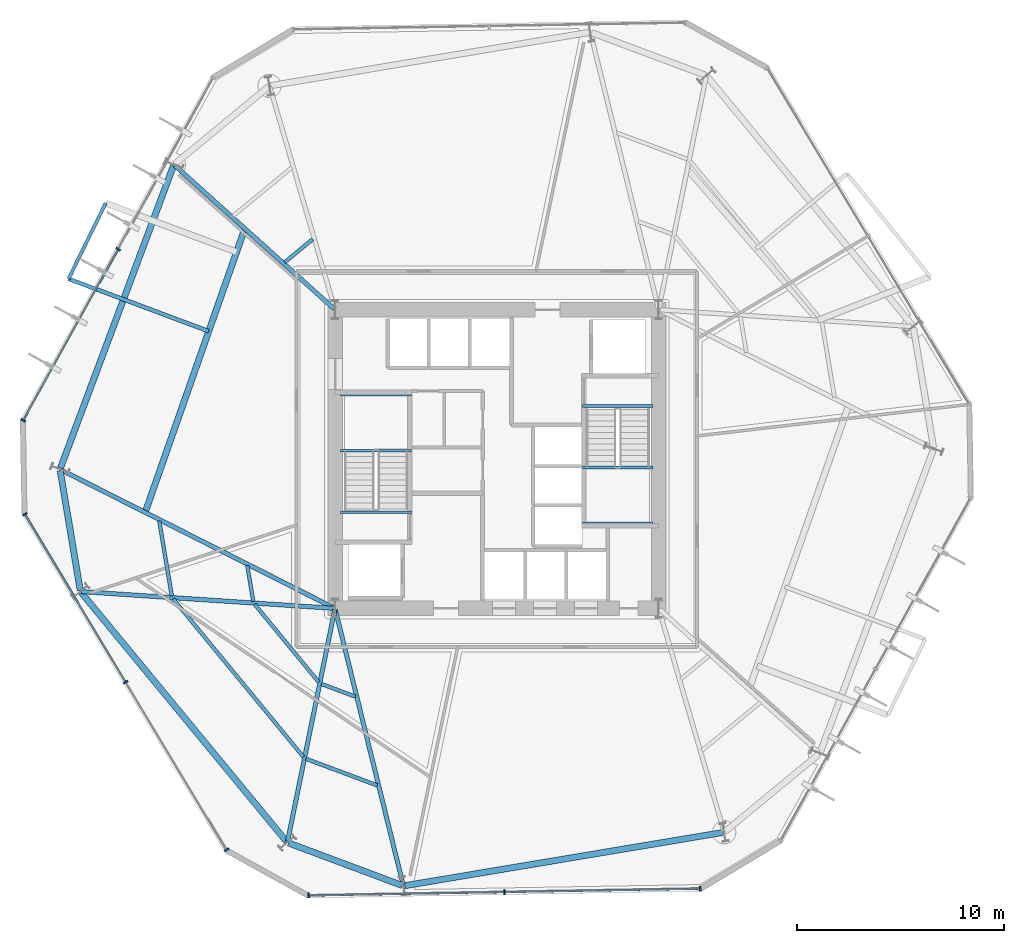
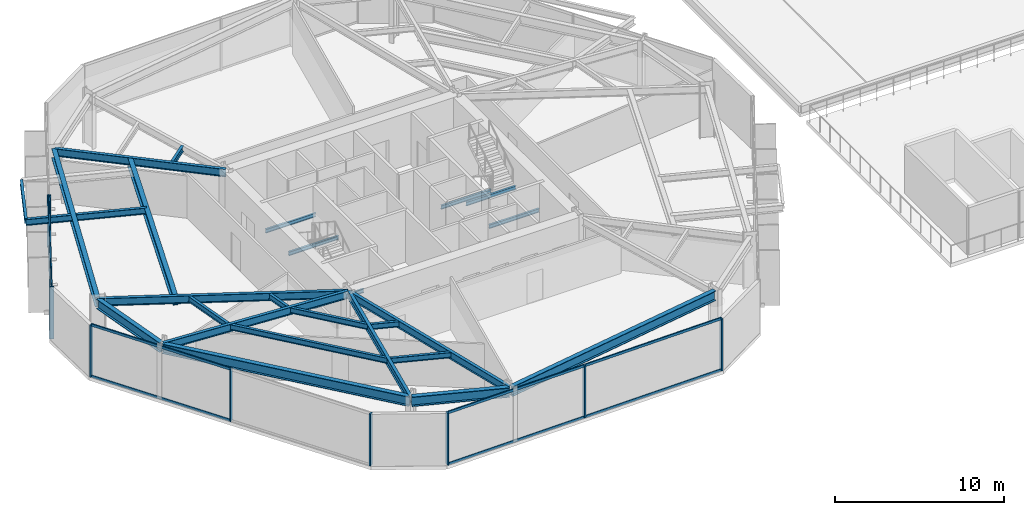
# One storey, part 2 of 11: 26 beams, 16 members, 3 elements without a shape of their own.
"""IFC4 building model written with IfcOpenShell, lengths in metres."""

from ifc_helpers import new_model, si_unit, direction, frame, origin, origin_2d, place, context, subcontext, project, spatial, rectangle, i_section, extrude, material, layer, layer_set, material_profile, profile_set, type_object, element, aggregate, save


model = new_model("IFC4")

# Units and contexts
model_context = context("Model", 3, precision=1e-05, world=origin(), true_north=direction((0.0, 1.0)))
body_context = subcontext(model_context, "Body", "Model", "MODEL_VIEW")
ifc_project = project(units=[si_unit("LENGTHUNIT", "METRE"), si_unit("AREAUNIT", "SQUARE_METRE"), si_unit("VOLUMEUNIT", "CUBIC_METRE"), si_unit("PLANEANGLEUNIT", "RADIAN"), si_unit("MASSUNIT", "GRAM", prefix="KILO")], contexts=[model_context])

# Site, building, storey
site_placement = place(None, origin())
site = spatial("IfcSite", under=ifc_project, at=site_placement, CompositionType="ELEMENT")
building_placement = place(site_placement, origin())
building = spatial("IfcBuilding", under=site, at=building_placement, Name="Kranzbogen Civic Tower", CompositionType="ELEMENT")
storey_placement = place(building_placement, frame((0.0, 0.0, 24.0)))
storey = spatial("IfcBuildingStorey", under=building, at=storey_placement, Name="L05", CompositionType="ELEMENT", Elevation=24.0)

# Beam
ifc_material_1 = material(Name="Steel S355", Category="steel")
ifc_material_profile_1 = material_profile(ifc_material_1, i_section(OverallWidth=0.18994140625, OverallDepth=0.449951171875, WebThickness=0.009521484375, FlangeThickness=0.0146484375, at=origin_2d()), Name="IPE 450")
ifc_profile_set_1 = profile_set([ifc_material_profile_1], Name="Steel S355")
beam_type_1 = type_object("IfcBeamType", Name="Braced Terrace Edge Beam IPE 450", PredefinedType="BEAM", material=ifc_profile_set_1)
beam_1_placement = place(storey_placement, frame((11.113037109375, 31.159912109375, 3.52490234375), z_axis=(-0.93669995698, 0.35013310411, 0.0), x_axis=(-0.35013310411, -0.93669995698, 0.0)))
element("IfcBeam", 1, at=beam_1_placement, inside=storey, type_object=beam_type_1, Name="L06 back-spanned terrace beam L06-TB1-2", PredefinedType="BEAM", context=body_context, shape_type="SweptSolid", body=[
    extrude(i_section(OverallWidth=0.18994140625, OverallDepth=0.449951171875, WebThickness=0.009521484375, FlangeThickness=0.0146484375, at=origin_2d()), origin(), (0.0, 0.0, 1.0), 7.21484375),
])

# Curtain wall, members
ifc_material_2 = material(Name="Pale Anodised Aluminium", Category="aluminium")
ifc_layer = layer(ifc_material_2, 0.219970703125, Name="Pale Anodised Aluminium")
ifc_layer_set = layer_set([ifc_layer], Name="Pale Anodised Aluminium")
curtain_wall_type = type_object("IfcCurtainWallType", Name="Zone 1 Stick Curtain Wall System CW-02", PredefinedType="USERDEFINED", material=ifc_layer_set)
curtain_wall_1_placement = place(storey_placement, origin())
curtain_wall_1 = element("IfcCurtainWall", 2, at=curtain_wall_1_placement, inside=storey, type_object=curtain_wall_type, Name="L05 curtain wall CW-L05-F3", ObjectType="STICK CURTAIN WALL", PredefinedType="USERDEFINED")
ifc_material_profile_2 = material_profile(ifc_material_2, rectangle(XDim=0.080078125, YDim=0.239990234375, at=origin_2d()), Name="ALU-M 80x240")
ifc_profile_set_2 = profile_set([ifc_material_profile_2], Name="Pale Anodised Aluminium")
member_type_1 = type_object("IfcMemberType", Name="Curtain Wall Mullion ALU-M 80x240", PredefinedType="MULLION", material=ifc_profile_set_2)
member_1_placement = place(storey_placement, frame((6.744384765625, 35.119384765625, 0.0), z_axis=(0.0, 0.0, 1.0), x_axis=(-0.484727984582, -0.874664953547, 0.0)))
member_1 = element("IfcMember", 3, at=member_1_placement, type_object=member_type_1, Name="CW-02 mullion 2", PredefinedType="MULLION", context=body_context, shape_type="SweptSolid", body=[
    extrude(rectangle(XDim=0.080078125, YDim=0.239990234375, at=origin_2d()), origin(), (0.0, 0.0, 1.0), 3.760009765625),
])
member_2_placement = place(storey_placement, frame((2.16943359375, 26.8642578125, 0.0), z_axis=(0.0, 0.0, 1.0), x_axis=(-0.484727984582, -0.874664953547, 0.0)))
member_2 = element("IfcMember", 4, at=member_2_placement, type_object=member_type_1, Name="CW-02 mullion 3", PredefinedType="MULLION", context=body_context, shape_type="SweptSolid", body=[
    extrude(rectangle(XDim=0.080078125, YDim=0.239990234375, at=origin_2d()), origin(), (0.0, 0.0, 1.0), 3.760009765625),
])

curtain_wall_2_placement = place(storey_placement, origin())
curtain_wall_2 = element("IfcCurtainWall", 5, at=curtain_wall_2_placement, inside=storey, type_object=curtain_wall_type, Name="L05 curtain wall CW-L05-F4", ObjectType="STICK CURTAIN WALL", PredefinedType="USERDEFINED")
member_3_placement = place(storey_placement, frame((2.24755859375, 22.34033203125, 0.0), z_axis=(0.0, 0.0, 1.0), x_axis=(0.515031495734, -0.857171253836, 0.0)))
member_3 = element("IfcMember", 6, at=member_3_placement, type_object=member_type_1, Name="CW-02 mullion 1", PredefinedType="MULLION", context=body_context, shape_type="SweptSolid", body=[
    extrude(rectangle(XDim=0.080078125, YDim=0.239990234375, at=origin_2d()), origin(), (0.0, 0.0, 1.0), 3.760009765625),
])
member_4_placement = place(storey_placement, frame((7.1083984375, 14.25, 0.0), z_axis=(0.0, 0.0, 1.0), x_axis=(0.515031495734, -0.857171253836, 0.0)))
member_4 = element("IfcMember", 7, at=member_4_placement, type_object=member_type_1, Name="CW-02 mullion 2", PredefinedType="MULLION", context=body_context, shape_type="SweptSolid", body=[
    extrude(rectangle(XDim=0.080078125, YDim=0.239990234375, at=origin_2d()), origin(), (0.0, 0.0, 1.0), 3.760009765625),
])
member_5_placement = place(storey_placement, frame((11.969482421875, 6.15966796875, 0.0), z_axis=(0.0, 0.0, 1.0), x_axis=(0.515031495734, -0.857171253836, 0.0)))
member_5 = element("IfcMember", 8, at=member_5_placement, type_object=member_type_1, Name="CW-02 mullion 3", PredefinedType="MULLION", context=body_context, shape_type="SweptSolid", body=[
    extrude(rectangle(XDim=0.080078125, YDim=0.239990234375, at=origin_2d()), origin(), (0.0, 0.0, 1.0), 3.760009765625),
])

curtain_wall_3_placement = place(storey_placement, origin())
curtain_wall_3 = element("IfcCurtainWall", 9, at=curtain_wall_3_placement, inside=storey, type_object=curtain_wall_type, Name="L05 curtain wall CW-L05-F5", ObjectType="STICK CURTAIN WALL", PredefinedType="USERDEFINED")
member_6_placement = place(storey_placement, frame((15.927978515625, 3.965576171875, 0.0), z_axis=(0.0, 0.0, 1.0), x_axis=(0.999848134168, 0.01742723733, 0.0)))
member_6 = element("IfcMember", 10, at=member_6_placement, type_object=member_type_1, Name="CW-02 mullion 1", PredefinedType="MULLION", context=body_context, shape_type="SweptSolid", body=[
    extrude(rectangle(XDim=0.080078125, YDim=0.239990234375, at=origin_2d()), origin(), (0.0, 0.0, 1.0), 3.760009765625),
])
member_7_placement = place(storey_placement, frame((25.364501953125, 4.1298828125, 0.0), z_axis=(0.0, 0.0, 1.0), x_axis=(0.999848134168, 0.01742723733, 0.0)))
member_7 = element("IfcMember", 11, at=member_7_placement, type_object=member_type_1, Name="CW-02 mullion 2", PredefinedType="MULLION", context=body_context, shape_type="SweptSolid", body=[
    extrude(rectangle(XDim=0.080078125, YDim=0.239990234375, at=origin_2d()), origin(), (0.0, 0.0, 1.0), 3.760009765625),
])
member_8_placement = place(storey_placement, frame((34.801025390625, 4.29443359375, 0.0), z_axis=(0.0, 0.0, 1.0), x_axis=(0.999848134168, 0.01742723733, 0.0)))
member_8 = element("IfcMember", 12, at=member_8_placement, type_object=member_type_1, Name="CW-02 mullion 3", PredefinedType="MULLION", context=body_context, shape_type="SweptSolid", body=[
    extrude(rectangle(XDim=0.080078125, YDim=0.239990234375, at=origin_2d()), origin(), (0.0, 0.0, 1.0), 3.760009765625),
])

# Member
ifc_material_profile_3 = material_profile(ifc_material_2, rectangle(XDim=0.080078125, YDim=0.179931640625, at=origin_2d()), Name="ALU-T 80x180")
ifc_profile_set_3 = profile_set([ifc_material_profile_3], Name="Pale Anodised Aluminium")
member_type_2 = type_object("IfcMemberType", Name="Curtain Wall Transom ALU-T 80x180", PredefinedType="USERDEFINED", material=ifc_profile_set_3)
member_9_placement = place(storey_placement, frame((6.72998046875, 35.09326171875, 0.030029296875), z_axis=(-0.484725386123, -0.874666393574, 0.0), x_axis=(0.874666393574, -0.484725386123, 0.0)))
member_9 = element("IfcMember", 13, at=member_9_placement, type_object=member_type_2, Name="CW-02 transom 2.1", ObjectType="TRANSOM", PredefinedType="USERDEFINED", context=body_context, shape_type="SweptSolid", body=[
    extrude(rectangle(XDim=0.080078125, YDim=0.179931640625, at=origin_2d()), origin(), (0.0, 0.0, 1.0), 9.37841796875),
])

member_10_placement = place(storey_placement, frame((6.72998046875, 35.09326171875, 3.72998046875), z_axis=(-0.484725386123, -0.874666393574, 0.0), x_axis=(0.874666393574, -0.484725386123, 0.0)))
member_10 = element("IfcMember", 14, at=member_10_placement, type_object=member_type_2, Name="CW-02 transom 2.2", ObjectType="TRANSOM", PredefinedType="USERDEFINED", context=body_context, shape_type="SweptSolid", body=[
    extrude(rectangle(XDim=0.080078125, YDim=0.179931640625, at=origin_2d()), origin(), (0.0, 0.0, 1.0), 9.37841796875),
])

aggregate(curtain_wall_1, [member_1, member_2, member_9, member_10])

member_11_placement = place(storey_placement, frame((2.262939453125, 22.314453125, 0.030029296875), z_axis=(0.515027792125, -0.857173479139, 0.0), x_axis=(0.857173479139, 0.515027792125, 0.0)))
member_11 = element("IfcMember", 15, at=member_11_placement, type_object=member_type_2, Name="CW-02 transom 1.1", ObjectType="TRANSOM", PredefinedType="USERDEFINED", context=body_context, shape_type="SweptSolid", body=[
    extrude(rectangle(XDim=0.080078125, YDim=0.179931640625, at=origin_2d()), origin(), (0.0, 0.0, 1.0), 9.378173828125),
])

member_12_placement = place(storey_placement, frame((2.262939453125, 22.314453125, 3.72998046875), z_axis=(0.515027792125, -0.857173479139, 0.0), x_axis=(0.857173479139, 0.515027792125, 0.0)))
member_12 = element("IfcMember", 16, at=member_12_placement, type_object=member_type_2, Name="CW-02 transom 1.2", ObjectType="TRANSOM", PredefinedType="USERDEFINED", context=body_context, shape_type="SweptSolid", body=[
    extrude(rectangle(XDim=0.080078125, YDim=0.179931640625, at=origin_2d()), origin(), (0.0, 0.0, 1.0), 9.378173828125),
])

aggregate(curtain_wall_2, [member_3, member_4, member_5, member_11, member_12])

member_13_placement = place(storey_placement, frame((15.9580078125, 3.966064453125, 0.030029296875), z_axis=(0.999848321067, 0.017416511139, 0.0), x_axis=(-0.017416511139, 0.999848321067, 0.0)))
member_13 = element("IfcMember", 17, at=member_13_placement, type_object=member_type_2, Name="CW-02 transom 1.1", ObjectType="TRANSOM", PredefinedType="USERDEFINED", context=body_context, shape_type="SweptSolid", body=[
    extrude(rectangle(XDim=0.080078125, YDim=0.179931640625, at=origin_2d()), origin(), (0.0, 0.0, 1.0), 9.3779296875),
])

member_14_placement = place(storey_placement, frame((15.9580078125, 3.966064453125, 3.72998046875), z_axis=(0.999848321067, 0.017416511139, 0.0), x_axis=(-0.017416511139, 0.999848321067, 0.0)))
member_14 = element("IfcMember", 18, at=member_14_placement, type_object=member_type_2, Name="CW-02 transom 1.2", ObjectType="TRANSOM", PredefinedType="USERDEFINED", context=body_context, shape_type="SweptSolid", body=[
    extrude(rectangle(XDim=0.080078125, YDim=0.179931640625, at=origin_2d()), origin(), (0.0, 0.0, 1.0), 9.3779296875),
])

member_15_placement = place(storey_placement, frame((25.39453125, 4.130615234375, 0.030029296875), z_axis=(0.999848321067, 0.017416511139, 0.0), x_axis=(-0.017416511139, 0.999848321067, 0.0)))
member_15 = element("IfcMember", 19, at=member_15_placement, type_object=member_type_2, Name="CW-02 transom 2.1", ObjectType="TRANSOM", PredefinedType="USERDEFINED", context=body_context, shape_type="SweptSolid", body=[
    extrude(rectangle(XDim=0.080078125, YDim=0.179931640625, at=origin_2d()), origin(), (0.0, 0.0, 1.0), 9.3779296875),
])

member_16_placement = place(storey_placement, frame((25.39453125, 4.130615234375, 3.72998046875), z_axis=(0.999848321067, 0.017416511139, 0.0), x_axis=(-0.017416511139, 0.999848321067, 0.0)))
member_16 = element("IfcMember", 20, at=member_16_placement, type_object=member_type_2, Name="CW-02 transom 2.2", ObjectType="TRANSOM", PredefinedType="USERDEFINED", context=body_context, shape_type="SweptSolid", body=[
    extrude(rectangle(XDim=0.080078125, YDim=0.179931640625, at=origin_2d()), origin(), (0.0, 0.0, 1.0), 9.3779296875),
])

aggregate(curtain_wall_3, [member_6, member_7, member_8, member_13, member_14, member_15, member_16])

# Beams
ifc_material_profile_4 = material_profile(ifc_material_1, i_section(OverallWidth=0.300048828125, OverallDepth=0.699951171875, WebThickness=0.01708984375, FlangeThickness=0.031982421875, at=origin_2d()), Name="HEB 700")
ifc_profile_set_4 = profile_set([ifc_material_profile_4], Name="Steel S355")
beam_type_2 = type_object("IfcBeamType", Name="Perimeter Tube Spandrel Beam HEB 700", PredefinedType="SPANDREL", material=ifc_profile_set_4)
beam_2_placement = place(storey_placement, frame((3.952880859375, 24.445068359375, 3.409912109375), z_axis=(0.164913116942, -0.986308097838, 0.0), x_axis=(0.986308097838, 0.164913116942, 0.0)))
element("IfcBeam", 21, at=beam_2_placement, inside=storey, type_object=beam_type_2, Name="L05 perimeter spandrel beam 01", PredefinedType="SPANDREL", context=body_context, shape_type="SweptSolid", body=[
    extrude(i_section(OverallWidth=0.300048828125, OverallDepth=0.699951171875, WebThickness=0.01708984375, FlangeThickness=0.031982421875, at=origin_2d()), origin(), (0.0, 0.0, 1.0), 5.85205078125),
])
beam_3_placement = place(storey_placement, frame((4.966064453125, 18.568115234375, 3.409912109375), z_axis=(0.636074572579, -0.771627590304, 0.0), x_axis=(0.771627590304, 0.636074572579, 0.0)))
element("IfcBeam", 22, at=beam_3_placement, inside=storey, type_object=beam_type_2, Name="L05 perimeter spandrel beam 02", PredefinedType="SPANDREL", context=body_context, shape_type="SweptSolid", body=[
    extrude(i_section(OverallWidth=0.300048828125, OverallDepth=0.699951171875, WebThickness=0.01708984375, FlangeThickness=0.031982421875, at=origin_2d()), origin(), (0.0, 0.0, 1.0), 15.5595703125),
])
beam_4_placement = place(storey_placement, frame((14.95703125, 6.4951171875, 3.409912109375), z_axis=(0.936647646965, -0.350273015568, 0.0), x_axis=(0.350273015568, 0.936647646965, 0.0)))
element("IfcBeam", 23, at=beam_4_placement, inside=storey, type_object=beam_type_2, Name="L05 perimeter spandrel beam 03", PredefinedType="SPANDREL", context=body_context, shape_type="SweptSolid", body=[
    extrude(i_section(OverallWidth=0.300048828125, OverallDepth=0.699951171875, WebThickness=0.01708984375, FlangeThickness=0.031982421875, at=origin_2d()), origin(), (0.0, 0.0, 1.0), 5.852783203125),
])
beam_5_placement = place(storey_placement, frame((20.553955078125, 4.43408203125, 3.409912109375), z_axis=(0.986285563243, 0.165047834697, 0.0), x_axis=(-0.165047834697, 0.986285563243, 0.0)))
element("IfcBeam", 24, at=beam_5_placement, inside=storey, type_object=beam_type_2, Name="L05 perimeter spandrel beam 04", PredefinedType="SPANDREL", context=body_context, shape_type="SweptSolid", body=[
    extrude(i_section(OverallWidth=0.300048828125, OverallDepth=0.699951171875, WebThickness=0.01708984375, FlangeThickness=0.031982421875, at=origin_2d()), origin(), (0.0, 0.0, 1.0), 15.558349609375),
])
beam_6_placement = place(storey_placement, frame((9.412109375, 39.133056640625, 3.409912109375), z_axis=(-0.350172267932, -0.936685316833, 0.0), x_axis=(0.936685316833, -0.350172267932, 0.0)))
element("IfcBeam", 25, at=beam_6_placement, inside=storey, type_object=beam_type_2, Name="L05 perimeter spandrel beam 12", PredefinedType="SPANDREL", context=body_context, shape_type="SweptSolid", body=[
    extrude(i_section(OverallWidth=0.300048828125, OverallDepth=0.699951171875, WebThickness=0.01708984375, FlangeThickness=0.031982421875, at=origin_2d()), origin(), (0.0, 0.0, 1.0), 15.55810546875),
])
beam_7_placement = place(storey_placement, frame((12.85205078125, 36.112060546875, 3.39990234375), z_axis=(-0.331242591506, -0.943545624531, 0.0), x_axis=(0.943545624531, -0.331242591506, 0.0)))
element("IfcBeam", 26, at=beam_7_placement, inside=storey, type_object=beam_type_2, Name="L06 balcony back-span header girder L06-TB1", PredefinedType="SPANDREL", context=body_context, shape_type="SweptSolid", body=[
    extrude(i_section(OverallWidth=0.300048828125, OverallDepth=0.699951171875, WebThickness=0.01708984375, FlangeThickness=0.031982421875, at=origin_2d()), origin(), (0.0, 0.0, 1.0), 14.5029296875),
])
ifc_material_profile_5 = material_profile(ifc_material_1, i_section(OverallWidth=0.2099609375, OverallDepth=0.550048828125, WebThickness=0.010986328125, FlangeThickness=0.01708984375, at=origin_2d()), Name="IPE 550")
ifc_profile_set_5 = profile_set([ifc_material_profile_5], Name="Steel S355")
beam_type_3 = type_object("IfcBeamType", Name="Radial Tower Floor Girder IPE 550", PredefinedType="BEAM", material=ifc_profile_set_5)
beam_8_placement = place(storey_placement, frame((3.9970703125, 24.47705078125, 3.485107421875), z_axis=(0.892363219254, -0.451317942168, 0.0), x_axis=(0.451317942168, 0.892363219254, 0.0)))
element("IfcBeam", 27, at=beam_8_placement, inside=storey, type_object=beam_type_3, Name="L05 radial floor girder 01", PredefinedType="BEAM", context=body_context, shape_type="SweptSolid", body=[
    extrude(i_section(OverallWidth=0.2099609375, OverallDepth=0.550048828125, WebThickness=0.010986328125, FlangeThickness=0.01708984375, at=origin_2d()), origin(), (0.0, 0.0, 1.0), 14.73486328125),
])
beam_9_placement = place(storey_placement, frame((4.988037109375, 18.610107421875, 3.485107421875), z_axis=(0.99780674843, -0.066194356156, 0.0), x_axis=(0.066194356156, 0.99780674843, 0.0)))
element("IfcBeam", 28, at=beam_9_placement, inside=storey, type_object=beam_type_3, Name="L05 radial floor girder 02", PredefinedType="BEAM", context=body_context, shape_type="SweptSolid", body=[
    extrude(i_section(OverallWidth=0.2099609375, OverallDepth=0.550048828125, WebThickness=0.010986328125, FlangeThickness=0.01708984375, at=origin_2d()), origin(), (0.0, 0.0, 1.0), 12.178466796875),
])
beam_10_placement = place(storey_placement, frame((14.9130859375, 6.574951171875, 3.485107421875), z_axis=(0.199633433694, 0.979870650725, 0.0), x_axis=(-0.979870650725, 0.199633433694, 0.0)))
element("IfcBeam", 29, at=beam_10_placement, inside=storey, type_object=beam_type_3, Name="L05 radial floor girder 03", PredefinedType="BEAM", context=body_context, shape_type="SweptSolid", body=[
    extrude(i_section(OverallWidth=0.2099609375, OverallDepth=0.550048828125, WebThickness=0.010986328125, FlangeThickness=0.01708984375, at=origin_2d()), origin(), (0.0, 0.0, 1.0), 11.3955078125),
])
beam_11_placement = place(storey_placement, frame((20.48095703125, 4.48193359375, 3.485107421875), z_axis=(-0.239215348776, 0.970966537482, 0.0), x_axis=(-0.970966537482, -0.239215348776, 0.0)))
element("IfcBeam", 30, at=beam_11_placement, inside=storey, type_object=beam_type_3, Name="L05 radial floor girder 04", PredefinedType="BEAM", context=body_context, shape_type="SweptSolid", body=[
    extrude(i_section(OverallWidth=0.2099609375, OverallDepth=0.550048828125, WebThickness=0.010986328125, FlangeThickness=0.01708984375, at=origin_2d()), origin(), (0.0, 0.0, 1.0), 13.656494140625),
])
beam_12_placement = place(storey_placement, frame((9.47802734375, 39.14892578125, 3.485107421875), z_axis=(0.743311776894, -0.668945141496, 0.0), x_axis=(0.668945141496, 0.743311776894, 0.0)))
element("IfcBeam", 31, at=beam_12_placement, inside=storey, type_object=beam_type_3, Name="L05 radial floor girder 12", PredefinedType="BEAM", context=body_context, shape_type="SweptSolid", body=[
    extrude(i_section(OverallWidth=0.2099609375, OverallDepth=0.550048828125, WebThickness=0.010986328125, FlangeThickness=0.01708984375, at=origin_2d()), origin(), (0.0, 0.0, 1.0), 10.328125),
])
ifc_material_profile_6 = material_profile(ifc_material_1, i_section(OverallWidth=0.169921875, OverallDepth=0.360107421875, WebThickness=0.008056640625, FlangeThickness=0.0126953125, at=origin_2d()), Name="IPE 360")
ifc_profile_set_6 = profile_set([ifc_material_profile_6], Name="Steel S355")
beam_type_4 = type_object("IfcBeamType", Name="Secondary Composite Floor Joist IPE 360", PredefinedType="JOIST", material=ifc_profile_set_6)
beam_13_placement = place(storey_placement, frame((6.14599609375, 37.3349609375, 3.570068359375), z_axis=(-0.440618631172, -0.897694392243, 0.0), x_axis=(0.897694392243, -0.440618631172, 0.0)))
element("IfcBeam", 32, at=beam_13_placement, inside=storey, type_object=beam_type_4, Name="L06 terrace outer edge trimmer L06-TB1", PredefinedType="JOIST", context=body_context, shape_type="SweptSolid", body=[
    extrude(i_section(OverallWidth=0.169921875, OverallDepth=0.360107421875, WebThickness=0.008056640625, FlangeThickness=0.0126953125, at=origin_2d()), origin(), (0.0, 0.0, 1.0), 4.064697265625),
])
ifc_material_profile_7 = material_profile(ifc_material_1, i_section(OverallWidth=0.179931640625, OverallDepth=0.39990234375, WebThickness=0.008544921875, FlangeThickness=0.013427734375, at=origin_2d()), Name="IPE 400")
ifc_profile_set_7 = profile_set([ifc_material_profile_7], Name="Steel S355")
beam_type_5 = type_object("IfcBeamType", Name="Secondary Composite Floor Joist IPE 400", PredefinedType="JOIST", material=ifc_profile_set_7)
beam_14_placement = place(storey_placement, frame((8.72900390625, 22.011962890625, 3.56005859375), z_axis=(0.164928678379, -0.986305495802, 0.0), x_axis=(0.986305495802, 0.164928678379, 0.0)))
element("IfcBeam", 33, at=beam_14_placement, inside=storey, type_object=beam_type_5, Name="L05 secondary floor joist 1.01", PredefinedType="JOIST", context=body_context, shape_type="SweptSolid", body=[
    extrude(i_section(OverallWidth=0.179931640625, OverallDepth=0.39990234375, WebThickness=0.008544921875, FlangeThickness=0.013427734375, at=origin_2d()), origin(), (0.0, 0.0, 1.0), 3.662109375),
])
beam_15_placement = place(storey_placement, frame((12.970947265625, 19.865966796875, 3.56005859375), z_axis=(0.165077224104, -0.986280644686, 0.0), x_axis=(0.986280644686, 0.165077224104, 0.0)))
element("IfcBeam", 34, at=beam_15_placement, inside=storey, type_object=beam_type_5, Name="L05 secondary floor joist 2.01", PredefinedType="JOIST", context=body_context, shape_type="SweptSolid", body=[
    extrude(i_section(OverallWidth=0.179931640625, OverallDepth=0.39990234375, WebThickness=0.008544921875, FlangeThickness=0.013427734375, at=origin_2d()), origin(), (0.0, 0.0, 1.0), 1.7509765625),
])
beam_16_placement = place(storey_placement, frame((9.39697265625, 18.259033203125, 3.56005859375), z_axis=(0.636094561772, -0.771611112209, 0.0), x_axis=(0.771611112209, 0.636094561772, 0.0)))
element("IfcBeam", 35, at=beam_16_placement, inside=storey, type_object=beam_type_5, Name="L05 secondary floor joist 1.02", PredefinedType="JOIST", context=body_context, shape_type="SweptSolid", body=[
    extrude(i_section(OverallWidth=0.179931640625, OverallDepth=0.39990234375, WebThickness=0.008544921875, FlangeThickness=0.013427734375, at=origin_2d()), origin(), (0.0, 0.0, 1.0), 9.874267578125),
])
beam_17_placement = place(storey_placement, frame((13.323974609375, 17.9990234375, 3.56005859375), z_axis=(0.636012010413, -0.771679157818, 0.0), x_axis=(0.771679157818, 0.636012010413, 0.0)))
element("IfcBeam", 36, at=beam_17_placement, inside=storey, type_object=beam_type_5, Name="L05 secondary floor joist 2.02", PredefinedType="JOIST", context=body_context, shape_type="SweptSolid", body=[
    extrude(i_section(OverallWidth=0.179931640625, OverallDepth=0.39990234375, WebThickness=0.008544921875, FlangeThickness=0.013427734375, at=origin_2d()), origin(), (0.0, 0.0, 1.0), 4.85693359375),
])
beam_18_placement = place(storey_placement, frame((15.803955078125, 10.550048828125, 3.56005859375), z_axis=(0.936622008794, -0.350341565678, 0.0), x_axis=(0.350341565678, 0.936622008794, 0.0)))
element("IfcBeam", 37, at=beam_18_placement, inside=storey, type_object=beam_type_5, Name="L05 secondary floor joist 1.03", PredefinedType="JOIST", context=body_context, shape_type="SweptSolid", body=[
    extrude(i_section(OverallWidth=0.179931640625, OverallDepth=0.39990234375, WebThickness=0.008544921875, FlangeThickness=0.013427734375, at=origin_2d()), origin(), (0.0, 0.0, 1.0), 3.662109375),
])
beam_19_placement = place(storey_placement, frame((16.5390625, 14.160888671875, 3.56005859375), z_axis=(0.936735458815, -0.350038112495, 0.0), x_axis=(0.350038112495, 0.936735458815, 0.0)))
element("IfcBeam", 38, at=beam_19_placement, inside=storey, type_object=beam_type_5, Name="L05 secondary floor joist 2.03", PredefinedType="JOIST", context=body_context, shape_type="SweptSolid", body=[
    extrude(i_section(OverallWidth=0.179931640625, OverallDepth=0.39990234375, WebThickness=0.008544921875, FlangeThickness=0.013427734375, at=origin_2d()), origin(), (0.0, 0.0, 1.0), 1.750732421875),
])
beam_20_placement = place(storey_placement, frame((16.1279296875, 35.60107421875, 3.56005859375), z_axis=(-0.771773324836, -0.635897739477, 0.0), x_axis=(0.635897739477, -0.771773324836, 0.0)))
element("IfcBeam", 39, at=beam_20_placement, inside=storey, type_object=beam_type_5, Name="L05 secondary floor joist 2.11", PredefinedType="JOIST", context=body_context, shape_type="SweptSolid", body=[
    extrude(i_section(OverallWidth=0.179931640625, OverallDepth=0.39990234375, WebThickness=0.008544921875, FlangeThickness=0.013427734375, at=origin_2d()), origin(), (0.0, 0.0, 1.0), 1.751953125),
])
ifc_material_profile_8 = material_profile(ifc_material_1, i_section(OverallWidth=0.135009765625, OverallDepth=0.27001953125, WebThickness=0.006591796875, FlangeThickness=0.01025390625, at=origin_2d()), Name="IPE 270")
ifc_profile_set_8 = profile_set([ifc_material_profile_8], Name="Steel S355")
beam_type_6 = type_object("IfcBeamType", Name="Stair Landing Support Beam IPE 270", PredefinedType="JOIST", material=ifc_profile_set_8)
for number, where, z_axis, x_axis, name in (
    (40, (20.8798828125, 22.43994140625, -0.375), (-1.0, 0.0, 0.0), (0.0, -1.0, 0.0), "L05 ST-T1 stair floor header beam"),
    (41, (20.8798828125, 25.39990234375, 1.6650390625), (-1.0, 0.0, 0.0), (0.0, -1.0, 0.0), "L05 ST-T1 landing support beam 1.1"),
    (42, (20.8798828125, 28.10009765625, 1.6650390625), (-1.0, 0.0, 0.0), (0.0, -1.0, 0.0), "L05 ST-T1 landing support beam 1.2"),
    (43, (29.1201171875, 27.56005859375, -0.375), (1.0, 0.0, 0.0), (0.0, 1.0, 0.0), "L05 ST-T2 stair floor header beam"),
    (44, (29.1201171875, 24.60009765625, 1.6650390625), (1.0, 0.0, 0.0), (0.0, 1.0, 0.0), "L05 ST-T2 landing support beam 1.1"),
    (45, (29.1201171875, 21.89990234375, 1.6650390625), (1.0, 0.0, 0.0), (0.0, 1.0, 0.0), "L05 ST-T2 landing support beam 1.2"),
):
    element("IfcBeam", number, at=place(storey_placement, frame(where, z_axis=z_axis, x_axis=x_axis)), inside=storey, type_object=beam_type_6, Name=name, PredefinedType="JOIST", context=body_context, shape_type="SweptSolid", body=[
        extrude(i_section(OverallWidth=0.135009765625, OverallDepth=0.27001953125, WebThickness=0.006591796875, FlangeThickness=0.01025390625, at=origin_2d()), origin(), (0.0, 0.0, 1.0), 3.409912109375),
    ])

save(model, "model.ifc")
